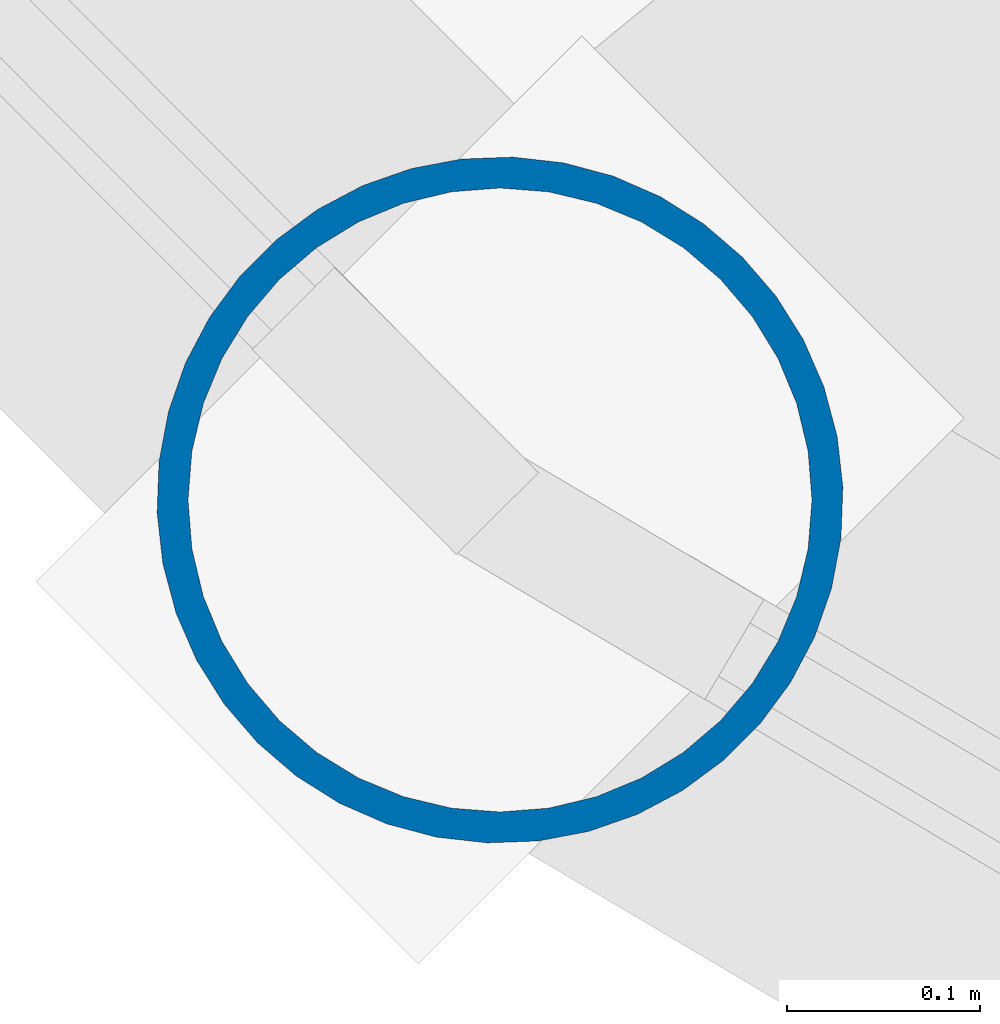
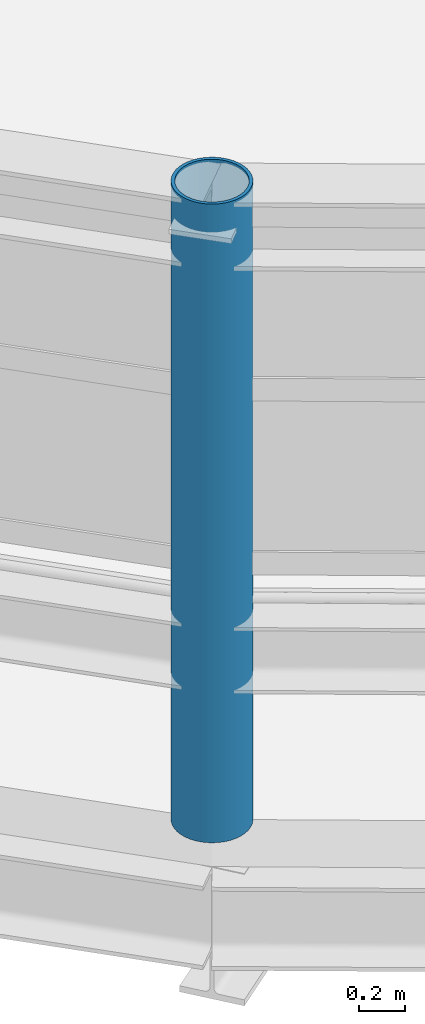
# One storey, part 3 of 123: 1 column.
"""IFC4 building model written with IfcOpenShell, lengths in metres."""

from ifc_helpers import new_model, si_unit, direction, frame, origin, origin_2d, place, context, subcontext, project, spatial, hollow_circle, extrude, material, material_profile, profile_set, type_object, element, save


model = new_model("IFC4")

# Units and contexts
model_context = context("Model", 3, precision=1e-05, world=origin(), true_north=direction((0.0, 1.0)))
body_context = subcontext(model_context, "Body", "Model", "MODEL_VIEW")
ifc_project = project(units=[si_unit("LENGTHUNIT", "METRE"), si_unit("AREAUNIT", "SQUARE_METRE"), si_unit("VOLUMEUNIT", "CUBIC_METRE"), si_unit("PLANEANGLEUNIT", "RADIAN"), si_unit("MASSUNIT", "GRAM", prefix="KILO")], contexts=[model_context])

# Site, building, storey
site_placement = place(None, origin())
site = spatial("IfcSite", under=ifc_project, at=site_placement, CompositionType="ELEMENT")
building_placement = place(site_placement, origin())
building = spatial("IfcBuilding", under=site, at=building_placement, Name="Kildeholm Park Wholesale Market", CompositionType="ELEMENT")
storey_placement = place(building_placement, frame((0.0, 0.0, 9.60009765625)))
storey = spatial("IfcBuildingStorey", under=building, at=storey_placement, Name="L02", CompositionType="ELEMENT", Elevation=9.60009765625)

# Column
ifc_material = material(Name="Steel S355", Category="steel")
ifc_material_profile = material_profile(ifc_material, hollow_circle(Radius=0.177734375, WallThickness=0.01611328125, at=origin_2d()), Name="CHS 355.6x16")
ifc_profile_set = profile_set([ifc_material_profile], Name="Steel S355")
column_type = type_object("IfcColumnType", Name="Column C-S10 CHS 355.6x16", PredefinedType="COLUMN", material=ifc_profile_set)
column_placement = place(storey_placement, frame((63.5029296875, 62.135009765625, 0.0), z_axis=(0.0, 0.0, 1.0), x_axis=(-0.707106781187, -0.707106781187, 0.0)))
element("IfcColumn", 1, at=column_placement, inside=storey, type_object=column_type, Name="Column V1-MD-15 L02 COL-0141", PredefinedType="COLUMN", context=body_context, shape_type="SweptSolid", body=[
    extrude(hollow_circle(Radius=0.177734375, WallThickness=0.01611328125, at=origin_2d()), origin(), (0.0, 0.0, 1.0), 3.3798828125),
])

save(model, "model.ifc")
